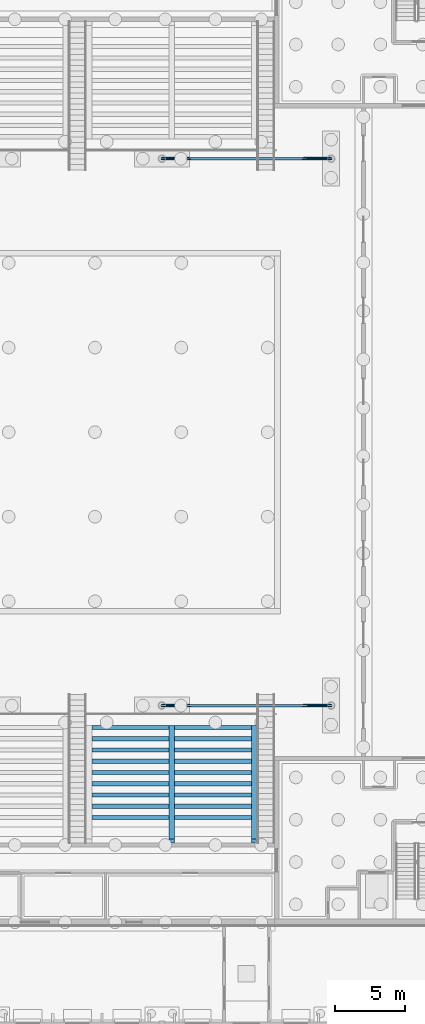
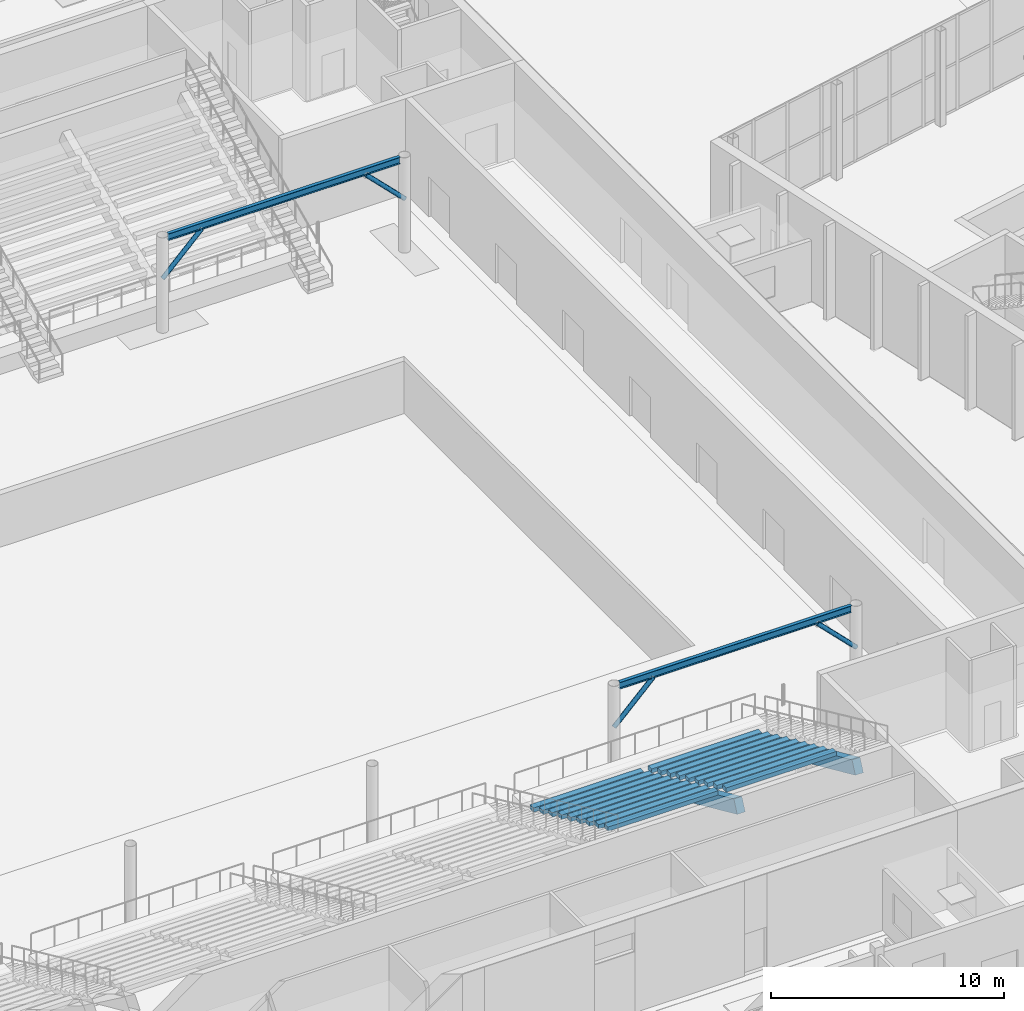
# One storey, part 50 of 157: 22 beams, 4 members.
"""IFC4 building model written with IfcOpenShell, lengths in metres."""

from ifc_helpers import new_model, si_unit, direction, frame, origin, origin_2d, place, context, subcontext, project, spatial, rectangle, hollow_circle, i_section, extrude, material, material_profile, profile_set, type_object, element, save


model = new_model("IFC4")

# Units and contexts
model_context = context("Model", 3, precision=1e-05, world=origin(), true_north=direction((0.0, 1.0)))
body_context = subcontext(model_context, "Body", "Model", "MODEL_VIEW")
ifc_project = project(units=[si_unit("LENGTHUNIT", "METRE"), si_unit("AREAUNIT", "SQUARE_METRE"), si_unit("VOLUMEUNIT", "CUBIC_METRE"), si_unit("PLANEANGLEUNIT", "RADIAN"), si_unit("MASSUNIT", "GRAM", prefix="KILO")], contexts=[model_context])

# Site, building, storey
site_placement = place(None, origin())
site = spatial("IfcSite", under=ifc_project, at=site_placement, CompositionType="ELEMENT")
building_placement = place(site_placement, origin())
building = spatial("IfcBuilding", under=site, at=building_placement, Name="Windward Yard Aquatics Centre", CompositionType="ELEMENT")
storey_placement = place(building_placement, origin())
storey = spatial("IfcBuildingStorey", under=building, at=storey_placement, Name="L00", CompositionType="ELEMENT", Elevation=0.0)

# Beams
ifc_material_1 = material(Name="Steel ASTM A992 Gr 50", Category="steel")
ifc_material_profile_1 = material_profile(ifc_material_1, i_section(OverallWidth=0.172119140625, OverallDepth=0.35791015625, WebThickness=0.0078125, FlangeThickness=0.01318359375, at=origin_2d()), Name="W360X57.8")
ifc_profile_set_1 = profile_set([ifc_material_profile_1], Name="Steel ASTM A992 Gr 50")
beam_type_1 = type_object("IfcBeamType", Name="H arch column tie beam W360X57.8", PredefinedType="BEAM", material=ifc_profile_set_1)
for number, where, z_axis, x_axis, name in (
    (1, (132.25390625, 41.60009765625, 4.821044921875), (1.0, 0.0, 0.0), (0.0, 1.0, 0.0), "H.TB.S7.T1"),
    (2, (132.25390625, 80.39990234375, 4.821044921875), (1.0, 0.0, 0.0), (0.0, 1.0, 0.0), "H.TB.N7.T1"),
):
    element("IfcBeam", number, at=place(storey_placement, frame(where, z_axis=z_axis, x_axis=x_axis)), inside=storey, type_object=beam_type_1, Name=name, PredefinedType="BEAM", context=body_context, shape_type="SweptSolid", body=[
        extrude(i_section(OverallWidth=0.172119140625, OverallDepth=0.35791015625, WebThickness=0.0078125, FlangeThickness=0.01318359375, at=origin_2d()), origin(), (0.0, 0.0, 1.0), 11.4921875),
    ])

# Members
ifc_material_2 = material(Name="Steel ASTM A500 Gr C", Category="steel")
ifc_material_profile_2 = material_profile(ifc_material_2, hollow_circle(Radius=0.109619140625, WallThickness=0.0126953125, at=origin_2d()), Name="HSS219.1X12.7")
ifc_profile_set_2 = profile_set([ifc_material_profile_2], Name="Steel ASTM A500 Gr C")
member_type = type_object("IfcMemberType", Name="H column brace HSS219.1X12.7", PredefinedType="BRACE", material=ifc_profile_set_2)
for number, where, z_axis, x_axis, name in (
    (3, (132.0, 41.60009765625, 2.699951171875), (0.707062332824, 0.0, 0.707151226755), (0.0, 1.0, 0.0), "H.VB.S7.L00.A"),
    (4, (144.0, 41.60009765625, 2.699951171875), (-0.707062332824, 0.0, 0.707151226755), (0.0, -1.0, 0.0), "H.VB.S7.L00.B"),
    (5, (132.0, 80.39990234375, 2.699951171875), (0.707062332824, 0.0, 0.707151226755), (0.0, 1.0, 0.0), "H.VB.N7.L00.A"),
    (6, (144.0, 80.39990234375, 2.699951171875), (-0.707062332824, 0.0, 0.707151226755), (0.0, -1.0, 0.0), "H.VB.N7.L00.B"),
):
    element("IfcMember", number, at=place(storey_placement, frame(where, z_axis=z_axis, x_axis=x_axis)), inside=storey, type_object=member_type, Name=name, PredefinedType="BRACE", context=body_context, shape_type="SweptSolid", body=[
        extrude(hollow_circle(Radius=0.109619140625, WallThickness=0.0126953125, at=origin_2d()), origin(), (0.0, 0.0, 1.0), 2.746337890625),
    ])

# Beams
ifc_material_3 = material(Name="Concrete C35/45", Category="concrete")
ifc_material_profile_3 = material_profile(ifc_material_3, rectangle(XDim=0.39990234375, YDim=0.699951171875, at=origin_2d()), Name="RC 400X700")
ifc_profile_set_3 = profile_set([ifc_material_profile_3], Name="Concrete C35/45")
beam_type_2 = type_object("IfcBeamType", Name="H stand raker RC 400X700 C35/45", PredefinedType="USERDEFINED", material=ifc_profile_set_3)
for number, where, z_axis, x_axis, name in (
    (7, (132.6875, 40.056396484375, 0.540771484375), (0.0, -0.911918401483, 0.410371574353), (1.0, 0.0, 0.0), "H.RK.S.6.2"),
    (8, (138.550048828125, 40.056396484375, 0.540771484375), (0.0, -0.911918401483, 0.410371574353), (1.0, 0.0, 0.0), "H.RK.S.6.3"),
):
    element("IfcBeam", number, at=place(storey_placement, frame(where, z_axis=z_axis, x_axis=x_axis)), inside=storey, type_object=beam_type_2, Name=name, ObjectType="RAKER", PredefinedType="USERDEFINED", context=body_context, shape_type="SweptSolid", body=[
        extrude(rectangle(XDim=0.39990234375, YDim=0.699951171875, at=origin_2d()), origin(), (0.0, 0.0, 1.0), 8.8310546875),
    ])
ifc_material_profile_4 = material_profile(ifc_material_3, rectangle(XDim=0.300048828125, YDim=0.22509765625, at=origin_2d()), Name="RC 300X225")
ifc_profile_set_4 = profile_set([ifc_material_profile_4], Name="Concrete C35/45")
beam_type_3 = type_object("IfcBeamType", Name="H stand tread beam RC 300X225 C35/45", PredefinedType="USERDEFINED", material=ifc_profile_set_4)
for number, where, z_axis, x_axis, name in (
    (9, (127.02490234375, 40.050048828125, 1.107421875), (1.0, 0.0, 0.0), (0.0, 1.0, 0.0), "H.TD.S.6.R02.1"),
    (10, (132.887451171875, 40.050048828125, 1.107421875), (1.0, 0.0, 0.0), (0.0, 1.0, 0.0), "H.TD.S.6.R02.2"),
    (11, (127.02490234375, 39.25, 1.467529296875), (1.0, 0.0, 0.0), (0.0, 1.0, 0.0), "H.TD.S.6.R03.1"),
    (12, (132.887451171875, 39.25, 1.467529296875), (1.0, 0.0, 0.0), (0.0, 1.0, 0.0), "H.TD.S.6.R03.2"),
    (13, (127.02490234375, 38.449951171875, 1.827392578125), (1.0, 0.0, 0.0), (0.0, 1.0, 0.0), "H.TD.S.6.R04.1"),
    (14, (132.887451171875, 38.449951171875, 1.827392578125), (1.0, 0.0, 0.0), (0.0, 1.0, 0.0), "H.TD.S.6.R04.2"),
    (15, (127.02490234375, 37.64990234375, 2.1875), (1.0, 0.0, 0.0), (0.0, 1.0, 0.0), "H.TD.S.6.R05.1"),
    (16, (132.887451171875, 37.64990234375, 2.1875), (1.0, 0.0, 0.0), (0.0, 1.0, 0.0), "H.TD.S.6.R05.2"),
    (17, (127.02490234375, 36.85009765625, 2.547607421875), (1.0, 0.0, 0.0), (0.0, 1.0, 0.0), "H.TD.S.6.R06.1"),
    (18, (132.887451171875, 36.85009765625, 2.547607421875), (1.0, 0.0, 0.0), (0.0, 1.0, 0.0), "H.TD.S.6.R06.2"),
    (19, (127.02490234375, 36.050048828125, 2.907470703125), (1.0, 0.0, 0.0), (0.0, 1.0, 0.0), "H.TD.S.6.R07.1"),
    (20, (132.887451171875, 36.050048828125, 2.907470703125), (1.0, 0.0, 0.0), (0.0, 1.0, 0.0), "H.TD.S.6.R07.2"),
    (21, (127.02490234375, 35.25, 3.267578125), (1.0, 0.0, 0.0), (0.0, 1.0, 0.0), "H.TD.S.6.R08.1"),
    (22, (132.887451171875, 35.25, 3.267578125), (1.0, 0.0, 0.0), (0.0, 1.0, 0.0), "H.TD.S.6.R08.2"),
    (23, (127.02490234375, 34.449951171875, 3.62744140625), (1.0, 0.0, 0.0), (0.0, 1.0, 0.0), "H.TD.S.6.R09.1"),
    (24, (132.887451171875, 34.449951171875, 3.62744140625), (1.0, 0.0, 0.0), (0.0, 1.0, 0.0), "H.TD.S.6.R09.2"),
    (25, (127.02490234375, 33.64990234375, 3.987548828125), (1.0, 0.0, 0.0), (0.0, 1.0, 0.0), "H.TD.S.6.R10.1"),
    (26, (132.887451171875, 33.64990234375, 3.987548828125), (1.0, 0.0, 0.0), (0.0, 1.0, 0.0), "H.TD.S.6.R10.2"),
):
    element("IfcBeam", number, at=place(storey_placement, frame(where, z_axis=z_axis, x_axis=x_axis)), inside=storey, type_object=beam_type_3, Name=name, ObjectType="TREAD BEAM", PredefinedType="USERDEFINED", context=body_context, shape_type="SweptSolid", body=[
        extrude(rectangle(XDim=0.300048828125, YDim=0.22509765625, at=origin_2d()), origin(), (0.0, 0.0, 1.0), 5.462646484375),
    ])

save(model, "model.ifc")
